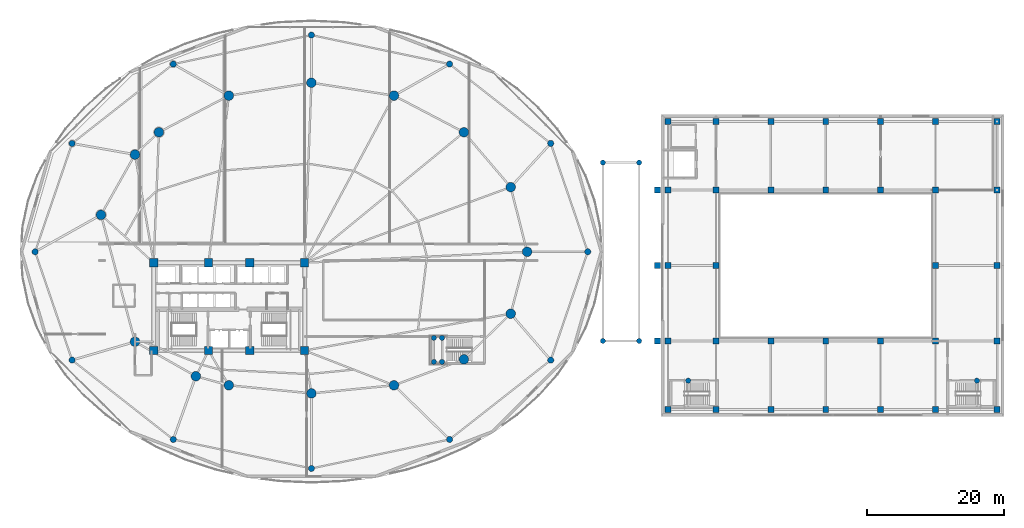
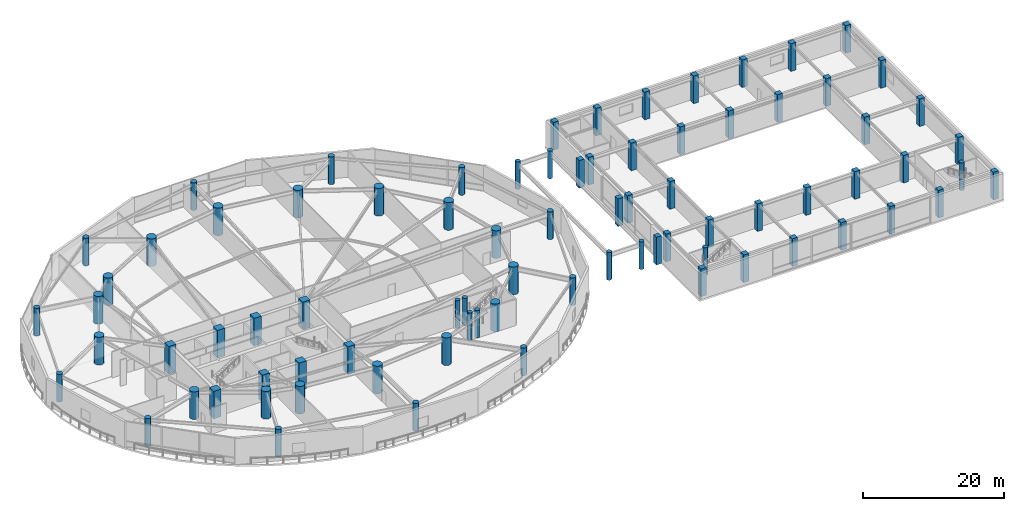
# One storey, part 1 of 40: 81 columns.
"""IFC4 building model written with IfcOpenShell, lengths in metres."""

from ifc_helpers import new_model, si_unit, direction, frame, origin, origin_2d, place, context, subcontext, project, spatial, rectangle, circle, extrude, material, material_profile, profile_set, type_object, element, save


model = new_model("IFC4")

# Units and contexts
model_context = context("Model", 3, precision=1e-05, world=origin(), true_north=direction((0.0, 1.0)))
body_context = subcontext(model_context, "Body", "Model", "MODEL_VIEW")
ifc_project = project(units=[si_unit("LENGTHUNIT", "METRE"), si_unit("AREAUNIT", "SQUARE_METRE"), si_unit("VOLUMEUNIT", "CUBIC_METRE"), si_unit("PLANEANGLEUNIT", "RADIAN"), si_unit("MASSUNIT", "GRAM", prefix="KILO")], contexts=[model_context])

# Site, building, storey
site_placement = place(None, origin())
site = spatial("IfcSite", under=ifc_project, at=site_placement, CompositionType="ELEMENT")
building_placement = place(site_placement, origin())
building = spatial("IfcBuilding", under=site, at=building_placement, Name="Kazevale Care Tower and Concert Hall", CompositionType="ELEMENT")
storey_placement = place(building_placement, frame((0.0, 0.0, 9.60009765625)))
storey = spatial("IfcBuildingStorey", under=building, at=storey_placement, Name="L02", CompositionType="ELEMENT", Elevation=9.60009765625)

# Columns
ifc_material_1 = material(Name="Concrete C50", Category="concrete")
ifc_material_profile_1 = material_profile(ifc_material_1, rectangle(XDim=0.85009765625, YDim=0.85009765625, at=origin_2d()), Name="RC-SQ850")
ifc_profile_set_1 = profile_set([ifc_material_profile_1], Name="Concrete C50")
column_type_1 = type_object("IfcColumnType", Name="Concert Hall Column SQ850 C50", PredefinedType="COLUMN", material=ifc_profile_set_1)
for number, where, z_axis, x_axis, name in (
    (1, (97.0, 15.0, 0.0), (0.0, 0.0, 1.0), (1.0, 0.0, 0.0), "col:L02:HC-01"),
    (2, (97.0, 25.0, 0.0), (0.0, 0.0, 1.0), (1.0, 0.0, 0.0), "col:L02:HC-02"),
    (3, (97.0, 36.0, 0.0), (0.0, 0.0, 1.0), (1.0, 0.0, 0.0), "col:L02:HC-03"),
    (4, (97.0, 47.0, 0.0), (0.0, 0.0, 1.0), (1.0, 0.0, 0.0), "col:L02:HC-04"),
    (5, (97.0, 57.0, 0.0), (0.0, 0.0, 1.0), (1.0, 0.0, 0.0), "col:L02:HC-05"),
    (6, (104.0, 15.0, 0.0), (0.0, 0.0, 1.0), (1.0, 0.0, 0.0), "col:L02:HC-06"),
    (7, (104.0, 25.0, 0.0), (0.0, 0.0, 1.0), (1.0, 0.0, 0.0), "col:L02:HC-07"),
    (8, (104.0, 36.0, 0.0), (0.0, 0.0, 1.0), (1.0, 0.0, 0.0), "col:L02:HC-08"),
    (9, (104.0, 47.0, 0.0), (0.0, 0.0, 1.0), (1.0, 0.0, 0.0), "col:L02:HC-09"),
    (10, (104.0, 57.0, 0.0), (0.0, 0.0, 1.0), (1.0, 0.0, 0.0), "col:L02:HC-10"),
    (11, (112.0, 15.0, 0.0), (0.0, 0.0, 1.0), (1.0, 0.0, 0.0), "col:L02:HC-11"),
    (12, (112.0, 25.0, 0.0), (0.0, 0.0, 1.0), (1.0, 0.0, 0.0), "col:L02:HC-12"),
    (13, (112.0, 47.0, 0.0), (0.0, 0.0, 1.0), (1.0, 0.0, 0.0), "col:L02:HC-13"),
    (14, (112.0, 57.0, 0.0), (0.0, 0.0, 1.0), (1.0, 0.0, 0.0), "col:L02:HC-14"),
    (15, (120.0, 15.0, 0.0), (0.0, 0.0, 1.0), (1.0, 0.0, 0.0), "col:L02:HC-15"),
    (16, (120.0, 25.0, 0.0), (0.0, 0.0, 1.0), (1.0, 0.0, 0.0), "col:L02:HC-16"),
    (17, (120.0, 47.0, 0.0), (0.0, 0.0, 1.0), (1.0, 0.0, 0.0), "col:L02:HC-17"),
    (18, (120.0, 57.0, 0.0), (0.0, 0.0, 1.0), (1.0, 0.0, 0.0), "col:L02:HC-18"),
    (19, (128.0, 15.0, 0.0), (0.0, 0.0, 1.0), (1.0, 0.0, 0.0), "col:L02:HC-19"),
    (20, (128.0, 25.0, 0.0), (0.0, 0.0, 1.0), (1.0, 0.0, 0.0), "col:L02:HC-20"),
    (21, (128.0, 47.0, 0.0), (0.0, 0.0, 1.0), (1.0, 0.0, 0.0), "col:L02:HC-21"),
    (22, (128.0, 57.0, 0.0), (0.0, 0.0, 1.0), (1.0, 0.0, 0.0), "col:L02:HC-22"),
    (23, (136.0, 15.0, 0.0), (0.0, 0.0, 1.0), (1.0, 0.0, 0.0), "col:L02:HC-23"),
    (24, (136.0, 25.0, 0.0), (0.0, 0.0, 1.0), (1.0, 0.0, 0.0), "col:L02:HC-24"),
    (25, (136.0, 36.0, 0.0), (0.0, 0.0, 1.0), (1.0, 0.0, 0.0), "col:L02:HC-25"),
    (26, (136.0, 47.0, 0.0), (0.0, 0.0, 1.0), (1.0, 0.0, 0.0), "col:L02:HC-26"),
    (27, (136.0, 57.0, 0.0), (0.0, 0.0, 1.0), (1.0, 0.0, 0.0), "col:L02:HC-27"),
    (28, (145.0, 15.0, 0.0), (0.0, 0.0, 1.0), (1.0, 0.0, 0.0), "col:L02:HC-28"),
    (29, (145.0, 25.0, 0.0), (0.0, 0.0, 1.0), (1.0, 0.0, 0.0), "col:L02:HC-29"),
    (30, (145.0, 36.0, 0.0), (0.0, 0.0, 1.0), (1.0, 0.0, 0.0), "col:L02:HC-30"),
    (31, (145.0, 47.0, 0.0), (0.0, 0.0, 1.0), (1.0, 0.0, 0.0), "col:L02:HC-31"),
    (32, (145.0, 57.0, 0.0), (0.0, 0.0, 1.0), (1.0, 0.0, 0.0), "col:L02:HC-32"),
    (33, (95.449951171875, 25.0, 0.0), (0.0, 0.0, 1.0), (1.0, 0.0, 0.0), "col:L02:bseat:1"),
    (34, (95.449951171875, 36.0, 0.0), (0.0, 0.0, 1.0), (1.0, 0.0, 0.0), "col:L02:bseat:2"),
    (35, (95.449951171875, 47.0, 0.0), (0.0, 0.0, 1.0), (1.0, 0.0, 0.0), "col:L02:bseat:3"),
):
    element("IfcColumn", number, at=place(storey_placement, frame(where, z_axis=z_axis, x_axis=x_axis)), inside=storey, type_object=column_type_1, Name=name, PredefinedType="COLUMN", context=body_context, shape_type="SweptSolid", body=[
        extrude(rectangle(XDim=0.85009765625, YDim=0.85009765625, at=origin_2d()), origin(), (0.0, 0.0, 1.0), 4.7998046875),
    ])
ifc_material_2 = material(Name="Concrete C70", Category="concrete")
ifc_material_profile_2 = material_profile(ifc_material_2, rectangle(XDim=1.199951171875, YDim=1.199951171875, at=origin_2d()), Name="RC-SQ1200")
ifc_profile_set_2 = profile_set([ifc_material_profile_2], Name="Concrete C70")
column_type_2 = type_object("IfcColumnType", Name="Core Column SQ1200 C70", PredefinedType="COLUMN", material=ifc_profile_set_2)
for number, where, z_axis, x_axis, name in (
    (36, (22.0, 23.60009765625, 0.0), (0.0, 0.0, 1.0), (1.0, 0.0, 0.0), "col:L02:CC-01"),
    (37, (30.0, 23.60009765625, 0.0), (0.0, 0.0, 1.0), (1.0, 0.0, 0.0), "col:L02:CC-02"),
    (38, (36.0, 23.60009765625, 0.0), (0.0, 0.0, 1.0), (1.0, 0.0, 0.0), "col:L02:CC-03"),
    (39, (44.0, 23.60009765625, 0.0), (0.0, 0.0, 1.0), (1.0, 0.0, 0.0), "col:L02:CC-04"),
    (40, (44.0, 36.39990234375, 0.0), (0.0, 0.0, 1.0), (1.0, 0.0, 0.0), "col:L02:CC-05"),
    (41, (36.0, 36.39990234375, 0.0), (0.0, 0.0, 1.0), (1.0, 0.0, 0.0), "col:L02:CC-06"),
    (42, (30.0, 36.39990234375, 0.0), (0.0, 0.0, 1.0), (1.0, 0.0, 0.0), "col:L02:CC-07"),
    (43, (22.0, 36.39990234375, 0.0), (0.0, 0.0, 1.0), (1.0, 0.0, 0.0), "col:L02:CC-08"),
):
    element("IfcColumn", number, at=place(storey_placement, frame(where, z_axis=z_axis, x_axis=x_axis)), inside=storey, type_object=column_type_2, Name=name, PredefinedType="COLUMN", context=body_context, shape_type="SweptSolid", body=[
        extrude(rectangle(XDim=1.199951171875, YDim=1.199951171875, at=origin_2d()), origin(), (0.0, 0.0, 1.0), 4.7998046875),
    ])
ifc_material_profile_3 = material_profile(ifc_material_1, circle(Radius=0.375, at=origin_2d()), Name="RC-CIR750")
ifc_profile_set_3 = profile_set([ifc_material_profile_3], Name="Concrete C50")
column_type_3 = type_object("IfcColumnType", Name="Garden & Support Column CIR750 C50", PredefinedType="COLUMN", material=ifc_profile_set_3)
for number, where, z_axis, x_axis, name in (
    (44, (87.5, 25.0, 0.0), (0.0, 0.0, 1.0), (1.0, 0.0, 0.0), "col:L02:GC-01"),
    (45, (92.800048828125, 25.0, 0.0), (0.0, 0.0, 1.0), (1.0, 0.0, 0.0), "col:L02:GC-02"),
    (46, (92.800048828125, 51.0, 0.0), (0.0, 0.0, 1.0), (1.0, 0.0, 0.0), "col:L02:GC-03"),
    (47, (87.5, 51.0, 0.0), (0.0, 0.0, 1.0), (1.0, 0.0, 0.0), "col:L02:GC-04"),
    (48, (62.85009765625, 21.949951171875, 0.0), (0.0, 0.0, 1.0), (1.0, 0.0, 0.0), "col:L02:st3post:628_21"),
    (49, (62.85009765625, 25.449951171875, 0.0), (0.0, 0.0, 1.0), (1.0, 0.0, 0.0), "col:L02:st3post:628_25"),
    (50, (64.050048828125, 21.949951171875, 0.0), (0.0, 0.0, 1.0), (1.0, 0.0, 0.0), "col:L02:st3post:640_21"),
    (51, (64.050048828125, 25.449951171875, 0.0), (0.0, 0.0, 1.0), (1.0, 0.0, 0.0), "col:L02:st3post:640_25"),
    (52, (99.949951171875, 19.199951171875, 0.0), (0.0, 0.0, 1.0), (1.0, 0.0, 0.0), "col:L02:ST4:npost"),
    (53, (142.050048828125, 19.199951171875, 0.0), (0.0, 0.0, 1.0), (1.0, 0.0, 0.0), "col:L02:ST5:npost"),
):
    element("IfcColumn", number, at=place(storey_placement, frame(where, z_axis=z_axis, x_axis=x_axis)), inside=storey, type_object=column_type_3, Name=name, PredefinedType="COLUMN", context=body_context, shape_type="SweptSolid", body=[
        extrude(circle(Radius=0.375, at=origin_2d()), origin(), (0.0, 0.0, 1.0), 4.7998046875),
    ])
ifc_material_profile_4 = material_profile(ifc_material_2, circle(Radius=0.699951171875, at=origin_2d()), Name="RC-CIR1400")
ifc_profile_set_4 = profile_set([ifc_material_profile_4], Name="Concrete C70")
column_type_4 = type_object("IfcColumnType", Name="Perimeter Column CIR1400 C70", PredefinedType="COLUMN", material=ifc_profile_set_4)
for number, where, z_axis, x_axis, name in (
    (54, (76.449951171875, 38.0, 0.0), (0.0, 0.0, 1.0), (1.0, 0.0, 0.0), "col:L02:PC-01"),
    (55, (74.06005859375, 47.429931640625, 0.0), (0.0, 0.0, 1.0), (1.0, 0.0, 0.0), "col:L02:PC-02"),
    (56, (67.239990234375, 55.429931640625, 0.0), (0.0, 0.0, 1.0), (1.0, 0.0, 0.0), "col:L02:PC-03"),
    (57, (57.0400390625, 60.77001953125, 0.0), (0.0, 0.0, 1.0), (1.0, 0.0, 0.0), "col:L02:PC-04"),
    (58, (45.0, 62.64990234375, 0.0), (0.0, 0.0, 1.0), (1.0, 0.0, 0.0), "col:L02:PC-05"),
    (59, (32.9599609375, 60.77001953125, 0.0), (0.0, 0.0, 1.0), (1.0, 0.0, 0.0), "col:L02:PC-06"),
    (60, (22.760009765625, 55.429931640625, 0.0), (0.0, 0.0, 1.0), (1.0, 0.0, 0.0), "col:L02:PC-07"),
    (61, (19.27001953125, 52.179931640625, 0.0), (0.0, 0.0, 1.0), (1.0, 0.0, 0.0), "col:L02:PC-08"),
    (62, (14.31005859375, 43.3798828125, 0.0), (0.0, 0.0, 1.0), (1.0, 0.0, 0.0), "col:L02:PC-09"),
    (63, (19.27001953125, 24.8798828125, 0.0), (0.0, 0.0, 1.0), (1.0, 0.0, 0.0), "col:L02:PC-10"),
    (64, (28.14990234375, 19.85009765625, 0.0), (0.0, 0.0, 1.0), (1.0, 0.0, 0.0), "col:L02:PC-11"),
    (65, (32.9599609375, 18.530029296875, 0.0), (0.0, 0.0, 1.0), (1.0, 0.0, 0.0), "col:L02:PC-12"),
    (66, (45.0, 17.35009765625, 0.0), (0.0, 0.0, 1.0), (1.0, 0.0, 0.0), "col:L02:PC-13"),
    (67, (57.0400390625, 18.530029296875, 0.0), (0.0, 0.0, 1.0), (1.0, 0.0, 0.0), "col:L02:PC-14"),
    (68, (67.239990234375, 22.31005859375, 0.0), (0.0, 0.0, 1.0), (1.0, 0.0, 0.0), "col:L02:PC-15"),
    (69, (74.06005859375, 28.969970703125, 0.0), (0.0, 0.0, 1.0), (1.0, 0.0, 0.0), "col:L02:PC-16"),
):
    element("IfcColumn", number, at=place(storey_placement, frame(where, z_axis=z_axis, x_axis=x_axis)), inside=storey, type_object=column_type_4, Name=name, PredefinedType="COLUMN", context=body_context, shape_type="SweptSolid", body=[
        extrude(circle(Radius=0.699951171875, at=origin_2d()), origin(), (0.0, 0.0, 1.0), 4.7998046875),
    ])
ifc_material_3 = material(Name="Concrete C60", Category="concrete")
ifc_material_profile_5 = material_profile(ifc_material_3, circle(Radius=0.449951171875, at=origin_2d()), Name="RC-CIR900")
ifc_profile_set_5 = profile_set([ifc_material_profile_5], Name="Concrete C60")
column_type_5 = type_object("IfcColumnType", Name="Podium Column CIR900 C60", PredefinedType="COLUMN", material=ifc_profile_set_5)
for number, where, z_axis, x_axis, name in (
    (70, (85.300048828125, 38.0, 0.0), (0.0, 0.0, 1.0), (1.0, 0.0, 0.0), "col:L02:PDC-01"),
    (71, (79.89990234375, 53.800048828125, 0.0), (0.0, 0.0, 1.0), (1.0, 0.0, 0.0), "col:L02:PDC-02"),
    (72, (65.14990234375, 65.3701171875, 0.0), (0.0, 0.0, 1.0), (1.0, 0.0, 0.0), "col:L02:PDC-03"),
    (73, (45.0, 69.60009765625, 0.0), (0.0, 0.0, 1.0), (1.0, 0.0, 0.0), "col:L02:PDC-04"),
    (74, (24.85009765625, 65.3701171875, 0.0), (0.0, 0.0, 1.0), (1.0, 0.0, 0.0), "col:L02:PDC-05"),
    (75, (10.10009765625, 53.800048828125, 0.0), (0.0, 0.0, 1.0), (1.0, 0.0, 0.0), "col:L02:PDC-06"),
    (76, (4.699951171875, 38.0, 0.0), (0.0, 0.0, 1.0), (1.0, 0.0, 0.0), "col:L02:PDC-07"),
    (77, (10.10009765625, 22.199951171875, 0.0), (0.0, 0.0, 1.0), (1.0, 0.0, 0.0), "col:L02:PDC-08"),
    (78, (24.85009765625, 10.6298828125, 0.0), (0.0, 0.0, 1.0), (1.0, 0.0, 0.0), "col:L02:PDC-09"),
    (79, (45.0, 6.39990234375, 0.0), (0.0, 0.0, 1.0), (1.0, 0.0, 0.0), "col:L02:PDC-10"),
    (80, (65.14990234375, 10.6298828125, 0.0), (0.0, 0.0, 1.0), (1.0, 0.0, 0.0), "col:L02:PDC-11"),
    (81, (79.89990234375, 22.199951171875, 0.0), (0.0, 0.0, 1.0), (1.0, 0.0, 0.0), "col:L02:PDC-12"),
):
    element("IfcColumn", number, at=place(storey_placement, frame(where, z_axis=z_axis, x_axis=x_axis)), inside=storey, type_object=column_type_5, Name=name, PredefinedType="COLUMN", context=body_context, shape_type="SweptSolid", body=[
        extrude(circle(Radius=0.449951171875, at=origin_2d()), origin(), (0.0, 0.0, 1.0), 4.7998046875),
    ])

save(model, "model.ifc")
